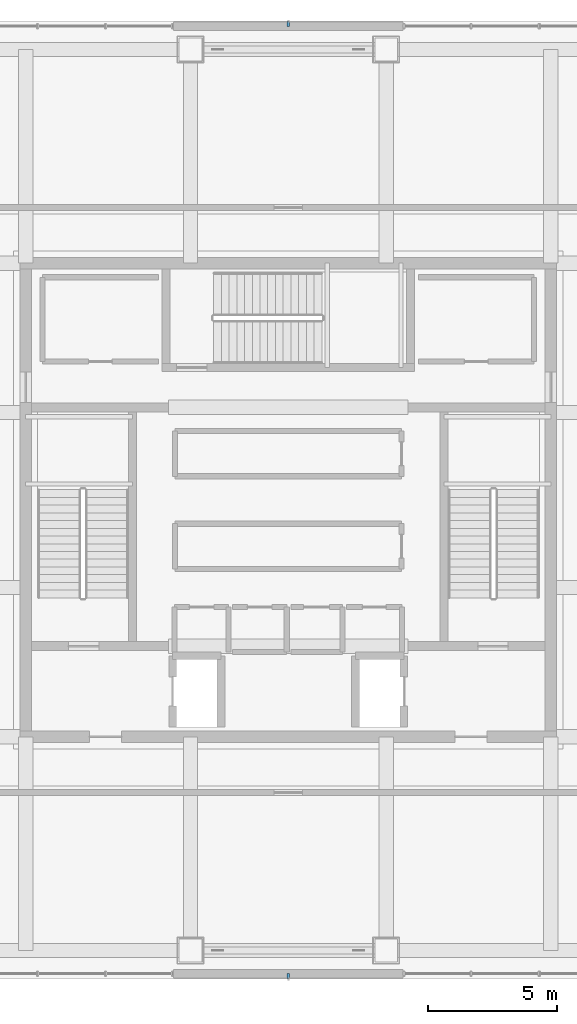
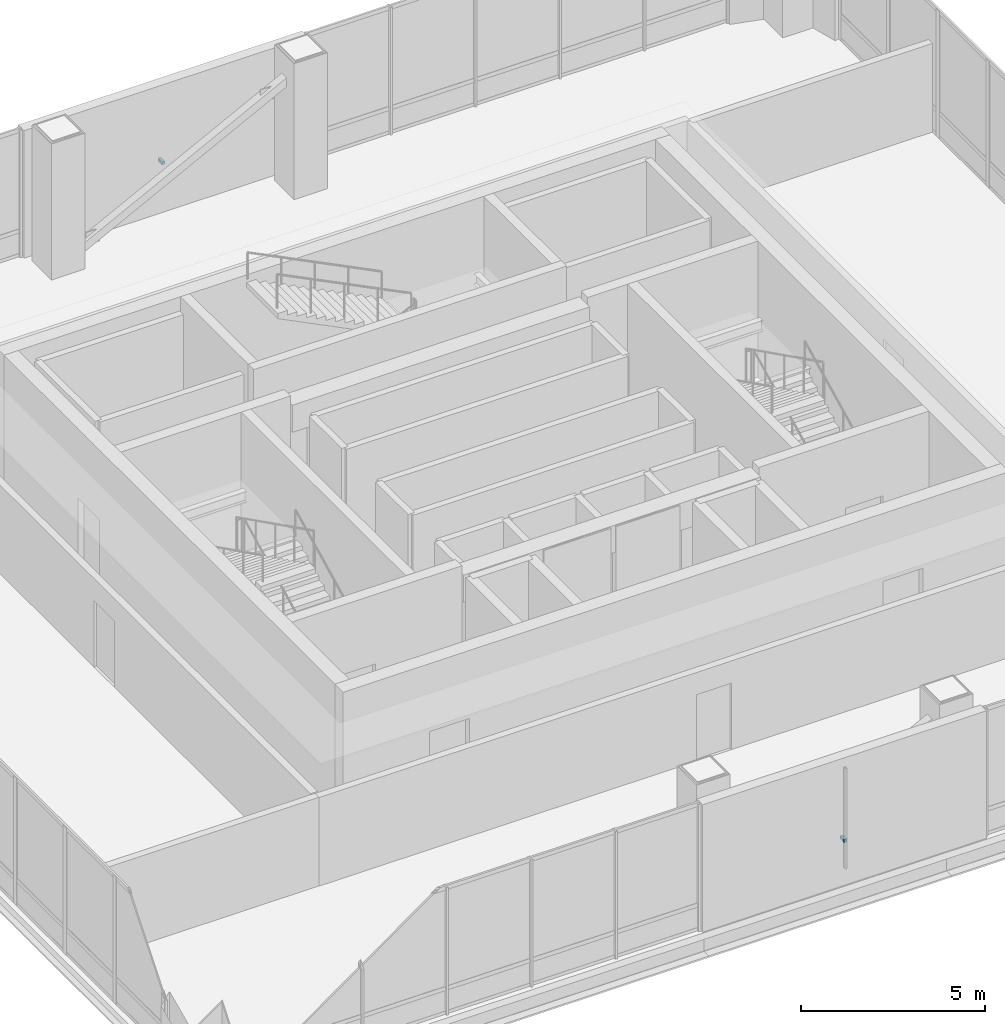
# One storey, part 30 of 33: 2 discrete accessories.
"""IFC4 building model written with IfcOpenShell, lengths in metres."""

import ifcopenshell
import ifcopenshell.guid

model = None  # the IFC model being written
_history = None  # IfcOwnerHistory: only IFC2X3 demands one
_inside = {}  # id of a spatial element -> (the spatial element, [elements in it])
_under = {}  # id of a project, library or spatial element -> (it, [spatial elements below it])
_declared = {}  # id of a project -> (the project, [libraries it declares])
_typed = {}  # id of a type object -> (the type object, [elements of that type])
_made_of = {}  # id of a material, layer set ... -> (it, [elements and type objects made of it])


def new_model(schema):
    """Start an empty IFC model of exactly this schema.

    Asked for "IFC4X3", IfcOpenShell would pick the latest addendum, in which some entities
    have other attributes; the version numbers below select the first issue.
    IFC2X3 requires an IfcOwnerHistory on every rooted entity: one is made here for all.
    """
    global model, _history
    if schema == "IFC4X3":
        model = ifcopenshell.file(schema_version=(4, 3, 0, 0))
    else:
        model = ifcopenshell.file(schema=schema)
    _inside.clear()
    _under.clear()
    _declared.clear()
    _typed.clear()
    _made_of.clear()
    _history = None
    if model.schema == "IFC2X3":
        org = make("IfcOrganization", Name="unknown")
        user = make(
            "IfcPersonAndOrganization",
            ThePerson=make("IfcPerson", FamilyName="unknown"),
            TheOrganization=org,
        )
        app = make(
            "IfcApplication",
            ApplicationDeveloper=org,
            Version="unknown",
            ApplicationFullName="unknown",
            ApplicationIdentifier="unknown",
        )
        _history = make(
            "IfcOwnerHistory",
            OwningUser=user,
            OwningApplication=app,
            ChangeAction="ADDED",
            CreationDate=0,
        )
    return model


def make(cls, **values):
    """One entity of the class cls with the attributes given. An attribute that is None is left unset."""
    return model.create_entity(
        cls, **{name: value for name, value in values.items() if value is not None}
    )


def rooted(cls, **values):
    """An entity with a GlobalId (a new one), such as an element, a storey or a relation."""
    return make(cls, GlobalId=ifcopenshell.guid.new(), OwnerHistory=_history, **values)


def si_unit(unit_type, name, prefix=None):
    """IfcSIUnit, for example si_unit("LENGTHUNIT", "METRE", prefix="MILLI")."""
    return make("IfcSIUnit", UnitType=unit_type, Prefix=prefix, Name=name)


def assignment(units):
    """IfcUnitAssignment: the units of a project."""
    return None if units is None else make("IfcUnitAssignment", Units=units)


def point(xyz):
    """IfcCartesianPoint."""
    return None if xyz is None else make("IfcCartesianPoint", Coordinates=xyz)


def direction(xyz):
    """IfcDirection."""
    return None if xyz is None else make("IfcDirection", DirectionRatios=xyz)


def frame(location, z_axis=None, x_axis=None):
    """IfcAxis2Placement3D, a coordinate frame: its origin and axes. An axis left out is left unset."""
    return make(
        "IfcAxis2Placement3D",
        Location=point(location),
        Axis=direction(z_axis),
        RefDirection=direction(x_axis),
    )


def frame_2d(location, x_axis=None):
    """IfcAxis2Placement2D, a coordinate frame in the plane: its origin and x axis."""
    return make(
        "IfcAxis2Placement2D", Location=point(location), RefDirection=direction(x_axis)
    )


def origin():
    """The frame at (0, 0, 0) with its axes left unset."""
    return frame((0.0, 0.0, 0.0))


def origin_2d():
    """The frame at (0, 0) in the plane with its x axis left unset."""
    return frame_2d((0.0, 0.0))


def place(relative_to, where):
    """IfcLocalPlacement: puts the frame where relative to a parent placement (None: the world)."""
    return make(
        "IfcLocalPlacement", PlacementRelTo=relative_to, RelativePlacement=where
    )


def context(
    kind, dimensions, precision=None, world=None, true_north=None, identifier=None
):
    """IfcGeometricRepresentationContext, for example the 3D "Model" context."""
    return make(
        "IfcGeometricRepresentationContext",
        ContextIdentifier=identifier,
        ContextType=kind,
        CoordinateSpaceDimension=dimensions,
        Precision=precision,
        WorldCoordinateSystem=world,
        TrueNorth=true_north,
    )


def subcontext(parent, identifier, kind, view, scale=None):
    """IfcGeometricRepresentationSubContext, for example "Body" below "Model"."""
    return make(
        "IfcGeometricRepresentationSubContext",
        ContextIdentifier=identifier,
        ContextType=kind,
        ParentContext=parent,
        TargetScale=scale,
        TargetView=view,
    )


def project(units=None, contexts=None):
    """IfcProject with its units and contexts."""
    return rooted(
        "IfcProject",
        Name="project",
        RepresentationContexts=contexts,
        UnitsInContext=assignment(units),
    )


def spatial(cls, under=None, at=None, **own):
    """A site, building, storey or space (cls), placed at a placement, below another one or the project."""
    s = rooted(cls, ObjectPlacement=at, **own)
    if under is not None:
        _under.setdefault(under.id(), (under, []))[1].append(s)
    return s


def profile(cls, at=None, kind="AREA", **sizes):
    """A parametric profile (cls). Its sizes go by their IFC names, for example OverallWidth=200.0."""
    return make(cls, ProfileType=kind, Position=at, **sizes)


def rectangle(**sizes):
    """IfcRectangleProfileDef."""
    return profile("IfcRectangleProfileDef", **sizes)


def extrude(swept, where, along, depth):
    """IfcExtrudedAreaSolid: the profile swept, set in the frame where, extruded along a direction by depth."""
    return make(
        "IfcExtrudedAreaSolid",
        SweptArea=swept,
        Position=where,
        ExtrudedDirection=direction(along),
        Depth=depth,
    )


def shape(context_of_items, identifier, shape_type, items):
    """IfcShapeRepresentation: the items that make up one representation, for example the "Body"."""
    return make(
        "IfcShapeRepresentation",
        ContextOfItems=context_of_items,
        RepresentationIdentifier=identifier,
        RepresentationType=shape_type,
        Items=items,
    )


def material(Name=None, Category=None):
    """IfcMaterial."""
    return make("IfcMaterial", Name=Name, Category=Category)


def made_of(thing, what):
    """Note that an element or type object is made of a material, layer set ...; save() writes the relation."""
    if what is not None:
        _made_of.setdefault(what.id(), (what, []))[1].append(thing)
    return thing


def type_object(cls, material=None, **own):
    """A type object (cls), such as IfcWallType, which elements share."""
    return made_of(rooted(cls, **own), material)


def element(
    cls,
    number,
    at=None,
    inside=None,
    cuts=None,
    type_object=None,
    material=None,
    context=None,
    identifier="Body",
    shape_type=None,
    held_by="IfcProductDefinitionShape",
    body=None,
    shapes=None,
    **own,
):
    """One element of the class cls, such as IfcWall. Its Tag is "e" and its number.

    at: its placement. inside: the storey or other place that contains it. cuts: it is an
    opening in that element (IfcRelVoidsElement). A single representation is given by context,
    identifier, shape_type and body (its items); several are given by shapes. held_by: the class
    of the entity that holds the representations. save() writes the other relations.
    """
    e = rooted(cls, Tag="e%d" % number, ObjectPlacement=at, **own)
    if body is not None:
        shapes = [shape(context, identifier, shape_type, body)]
    if shapes is not None:
        e.Representation = make(held_by, Representations=shapes)
    if inside is not None:
        _inside.setdefault(inside.id(), (inside, []))[1].append(e)
    if cuts is not None:
        rooted(
            "IfcRelVoidsElement", RelatingBuildingElement=cuts, RelatedOpeningElement=e
        )
    if type_object is not None:
        _typed.setdefault(type_object.id(), (type_object, []))[1].append(e)
    return made_of(e, material)


def aggregate(whole, parts):
    """IfcRelAggregates: a whole, such as a stair, and the parts it consists of."""
    return rooted("IfcRelAggregates", RelatingObject=whole, RelatedObjects=parts)


def save(model, path):
    """Write the relations noted so far, then the file.

    IfcRelAggregates (storeys below a building ...), IfcRelContainedInSpatialStructure (elements
    in a storey), IfcRelDefinesByType, IfcRelAssociatesMaterial and IfcRelDeclares: one each for
    every whole, place, type object, material and project.
    """
    for whole, parts in _under.values():
        aggregate(whole, parts)
    for where, things in _inside.values():
        rooted(
            "IfcRelContainedInSpatialStructure",
            RelatedElements=things,
            RelatingStructure=where,
        )
    for kind, things in _typed.values():
        rooted("IfcRelDefinesByType", RelatedObjects=things, RelatingType=kind)
    for what, things in _made_of.values():
        rooted("IfcRelAssociatesMaterial", RelatedObjects=things, RelatingMaterial=what)
    for by, libraries in _declared.values():
        rooted("IfcRelDeclares", RelatingContext=by, RelatedDefinitions=libraries)
    model.write(path)


model = new_model("IFC4")

# Units and contexts
model_context = context("Model", 3, precision=1e-05, world=origin(), true_north=direction((0.0, 1.0)))
body_context = subcontext(model_context, "Body", "Model", "MODEL_VIEW")
ifc_project = project(units=[si_unit("LENGTHUNIT", "METRE"), si_unit("AREAUNIT", "SQUARE_METRE"), si_unit("VOLUMEUNIT", "CUBIC_METRE"), si_unit("PLANEANGLEUNIT", "RADIAN"), si_unit("MASSUNIT", "GRAM", prefix="KILO")], contexts=[model_context])

# Site, building, storey
site_placement = place(None, origin())
site = spatial("IfcSite", under=ifc_project, at=site_placement, CompositionType="ELEMENT")
building_placement = place(site_placement, origin())
building = spatial("IfcBuilding", under=site, at=building_placement, Name="Punatoya Terracotta Tower", CompositionType="ELEMENT")
storey_placement = place(building_placement, frame((0.0, 0.0, 348.300048828125)))
storey = spatial("IfcBuildingStorey", under=building, at=storey_placement, Name="L82", CompositionType="ELEMENT", Elevation=348.300048828125)

# Discrete accessories
ifc_material = material(Name="Steel S355", Category="steel")
discrete_accessory_type = type_object("IfcDiscreteAccessoryType", Name="ACC-BRK-220", PredefinedType="BRACKET", material=ifc_material)
for number, where, z_axis, x_axis, name in (
    (1, (0.0, -18.5, 1.449951171875), (0.0, 0.0, 1.0), (1.0, 0.0, 0.0), "L82 Jali Fin Support Bracket S1"),
    (2, (0.0, 18.5, 1.449951171875), (0.0, 0.0, 1.0), (-1.0, 0.0, 0.0), "L82 Jali Fin Support Bracket N1"),
):
    element("IfcDiscreteAccessory", number, at=place(storey_placement, frame(where, z_axis=z_axis, x_axis=x_axis)), inside=storey, type_object=discrete_accessory_type, Name=name, PredefinedType="BRACKET", context=body_context, shape_type="SweptSolid", body=[
        extrude(rectangle(XDim=0.090087890625, YDim=0.219970703125, at=origin_2d()), origin(), (0.0, 0.0, 1.0), 0.10009765625),
    ])

save(model, "model.ifc")
